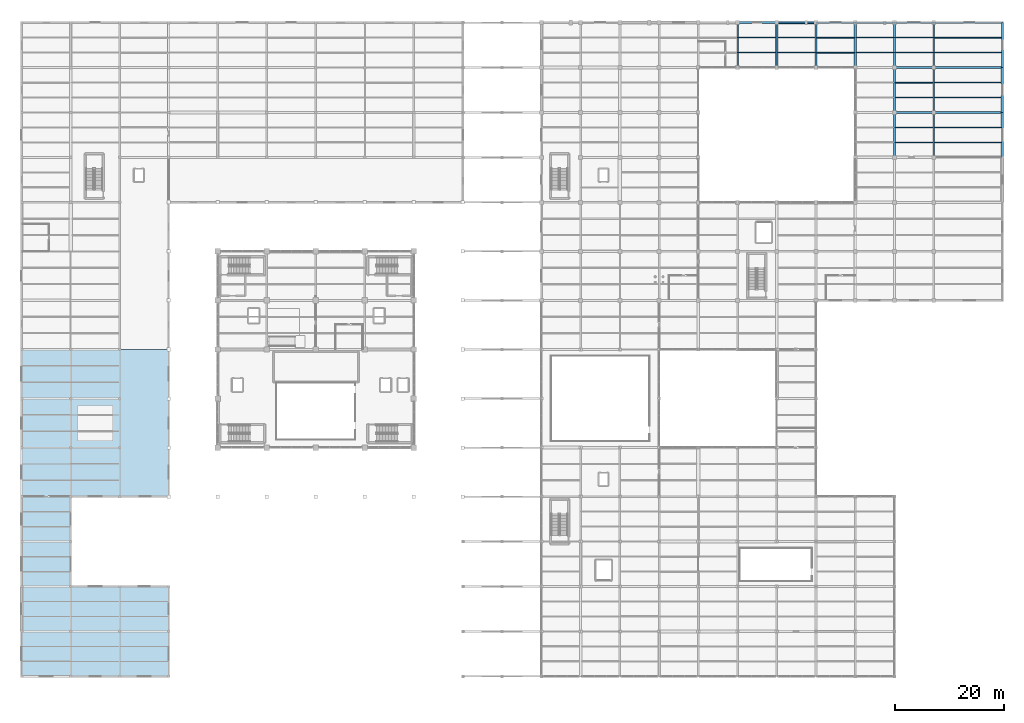
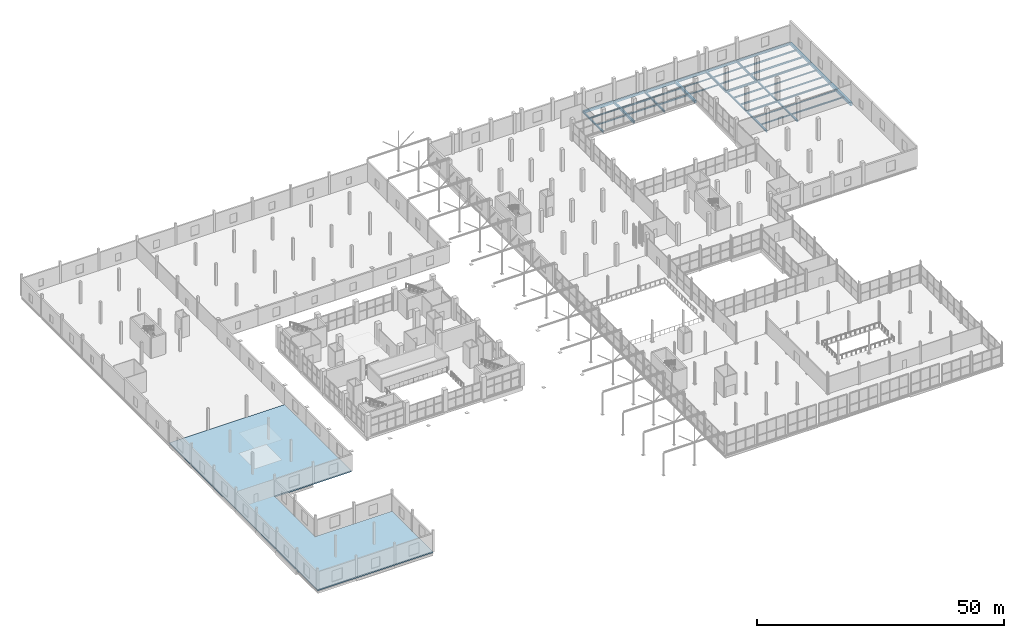
# One storey, part 112 of 147: 43 beams, 1 slab.
"""IFC4 building model written with IfcOpenShell, lengths in metres."""

from ifc_helpers import new_model, si_unit, direction, frame, origin, origin_2d, place, context, subcontext, project, spatial, polyline, rectangle, i_section, outline, extrude, material, layer, layer_set, material_profile, profile_set, type_object, element, save


model = new_model("IFC4")

# Units and contexts
model_context = context("Model", 3, precision=1e-05, world=origin(), true_north=direction((0.0, 1.0)))
body_context = subcontext(model_context, "Body", "Model", "MODEL_VIEW")
ifc_project = project(units=[si_unit("LENGTHUNIT", "METRE"), si_unit("AREAUNIT", "SQUARE_METRE"), si_unit("VOLUMEUNIT", "CUBIC_METRE"), si_unit("PLANEANGLEUNIT", "RADIAN"), si_unit("MASSUNIT", "GRAM", prefix="KILO")], contexts=[model_context])

# Site, building, storey
site_placement = place(None, origin())
site = spatial("IfcSite", under=ifc_project, at=site_placement, CompositionType="ELEMENT")
building_placement = place(site_placement, origin())
building = spatial("IfcBuilding", under=site, at=building_placement, Name="Sundgate Opera House", CompositionType="ELEMENT")
storey_placement = place(building_placement, frame((0.0, 0.0, 6.0)))
storey = spatial("IfcBuildingStorey", under=building, at=storey_placement, Name="L01", CompositionType="ELEMENT", Elevation=6.0)

# Beams
ifc_material_1 = material(Name="Steel S355J2", Category="steel")
ifc_material_profile_1 = material_profile(ifc_material_1, i_section(OverallWidth=0.300048828125, OverallDepth=0.330078125, WebThickness=0.009521484375, FlangeThickness=0.0166015625, at=origin_2d()), Name="HEA 340")
ifc_profile_set_1 = profile_set([ifc_material_profile_1], Name="Steel S355J2")
beam_type_1 = type_object("IfcBeamType", Name="BM-GR-HEA340", PredefinedType="BEAM", material=ifc_profile_set_1)
beam_1_placement = place(storey_placement, frame((167.39990234375, 103.5, -0.465087890625), z_axis=(0.0, 1.0, 0.0), x_axis=(-1.0, 0.0, 0.0)))
element("IfcBeam", 1, at=beam_1_placement, inside=storey, type_object=beam_type_1, Name="L01 Primary N-S Girder B1261", PredefinedType="BEAM", context=body_context, shape_type="SweptSolid", body=[
    extrude(i_section(OverallWidth=0.300048828125, OverallDepth=0.330078125, WebThickness=0.009521484375, FlangeThickness=0.0166015625, at=origin_2d()), origin(), (0.0, 0.0, 1.0), 8.25),
])
ifc_material_2 = material(Name="Steel S355J2", Category="steel")
ifc_material_profile_2 = material_profile(ifc_material_2, i_section(OverallWidth=0.300048828125, OverallDepth=0.35009765625, WebThickness=0.010009765625, FlangeThickness=0.017578125, at=origin_2d()), Name="HEA 360")
ifc_profile_set_2 = profile_set([ifc_material_profile_2], Name="Steel S355J2")
beam_type_2 = type_object("IfcBeamType", Name="BM-GR-HEA360", PredefinedType="BEAM", material=ifc_profile_set_2)
beam_2_placement = place(storey_placement, frame((167.39990234375, 95.25, -0.47509765625), z_axis=(0.0, 1.0, 0.0), x_axis=(-1.0, 0.0, 0.0)))
element("IfcBeam", 2, at=beam_2_placement, inside=storey, type_object=beam_type_2, Name="L01 Primary N-S Girder B1260", PredefinedType="BEAM", context=body_context, shape_type="SweptSolid", body=[
    extrude(i_section(OverallWidth=0.300048828125, OverallDepth=0.35009765625, WebThickness=0.010009765625, FlangeThickness=0.017578125, at=origin_2d()), origin(), (0.0, 0.0, 1.0), 8.25),
])
ifc_material_3 = material(Name="Steel S355J2", Category="steel")
ifc_material_profile_3 = material_profile(ifc_material_3, i_section(OverallWidth=0.300048828125, OverallDepth=0.389892578125, WebThickness=0.010986328125, FlangeThickness=0.01904296875, at=origin_2d()), Name="HEA 400")
ifc_profile_set_3 = profile_set([ifc_material_profile_3], Name="Steel S355J2")
beam_type_3 = type_object("IfcBeamType", Name="BM-GR-HEA400", PredefinedType="BEAM", material=ifc_profile_set_3)
beam_3_placement = place(storey_placement, frame((131.39990234375, 111.75, -0.4951171875), z_axis=(0.0, 1.0, 0.0), x_axis=(-1.0, 0.0, 0.0)))
element("IfcBeam", 3, at=beam_3_placement, inside=storey, type_object=beam_type_3, Name="L01 Primary N-S Girder B1215", PredefinedType="BEAM", context=body_context, shape_type="SweptSolid", body=[
    extrude(i_section(OverallWidth=0.300048828125, OverallDepth=0.389892578125, WebThickness=0.010986328125, FlangeThickness=0.01904296875, at=origin_2d()), origin(), (0.0, 0.0, 1.0), 8.25),
])
ifc_material_4 = material(Name="Steel S355J2", Category="steel")
ifc_material_profile_4 = material_profile(ifc_material_4, i_section(OverallWidth=0.300048828125, OverallDepth=0.43994140625, WebThickness=0.011474609375, FlangeThickness=0.02099609375, at=origin_2d()), Name="HEA 450")
ifc_profile_set_4 = profile_set([ifc_material_profile_4], Name="Steel S355J2")
beam_type_4 = type_object("IfcBeamType", Name="BM-GR-HEA450", PredefinedType="BEAM", material=ifc_profile_set_4)
beam_4_placement = place(storey_placement, frame((145.800048828125, 111.75, -0.52001953125), z_axis=(0.0, 1.0, 0.0), x_axis=(-1.0, 0.0, 0.0)))
element("IfcBeam", 4, at=beam_4_placement, inside=storey, type_object=beam_type_4, Name="L01 Primary N-S Girder B1236", PredefinedType="BEAM", context=body_context, shape_type="SweptSolid", body=[
    extrude(i_section(OverallWidth=0.300048828125, OverallDepth=0.43994140625, WebThickness=0.011474609375, FlangeThickness=0.02099609375, at=origin_2d()), origin(), (0.0, 0.0, 1.0), 8.25),
])
ifc_material_5 = material(Name="Steel S355J2", Category="steel")
ifc_material_profile_5 = material_profile(ifc_material_5, i_section(OverallWidth=0.300048828125, OverallDepth=0.590087890625, WebThickness=0.012939453125, FlangeThickness=0.02490234375, at=origin_2d()), Name="HEA 600")
ifc_profile_set_5 = profile_set([ifc_material_profile_5], Name="Steel S355J2")
beam_type_5 = type_object("IfcBeamType", Name="BM-GR-HEA600", PredefinedType="BEAM", material=ifc_profile_set_5)
beam_5_placement = place(storey_placement, frame((160.199951171875, 111.75, -0.594970703125), z_axis=(0.0, 1.0, 0.0), x_axis=(-1.0, 0.0, 0.0)))
element("IfcBeam", 5, at=beam_5_placement, inside=storey, type_object=beam_type_5, Name="L01 Primary N-S Girder B1256", PredefinedType="BEAM", context=body_context, shape_type="SweptSolid", body=[
    extrude(i_section(OverallWidth=0.300048828125, OverallDepth=0.590087890625, WebThickness=0.012939453125, FlangeThickness=0.02490234375, at=origin_2d()), origin(), (0.0, 0.0, 1.0), 8.25),
])
ifc_material_6 = material(Name="Steel S355J2", Category="steel")
ifc_material_profile_6 = material_profile(ifc_material_6, i_section(OverallWidth=0.300048828125, OverallDepth=0.360107421875, WebThickness=0.012451171875, FlangeThickness=0.0224609375, at=origin_2d()), Name="HEB 360")
ifc_profile_set_6 = profile_set([ifc_material_profile_6], Name="Steel S355J2")
beam_type_6 = type_object("IfcBeamType", Name="BM-GR-HEB360", PredefinedType="BEAM", material=ifc_profile_set_6)
beam_6_placement = place(storey_placement, frame((160.199951171875, 103.5, -0.47998046875), z_axis=(0.0, 1.0, 0.0), x_axis=(-1.0, 0.0, 0.0)))
element("IfcBeam", 6, at=beam_6_placement, inside=storey, type_object=beam_type_6, Name="L01 Primary N-S Girder B1255", PredefinedType="BEAM", context=body_context, shape_type="SweptSolid", body=[
    extrude(i_section(OverallWidth=0.300048828125, OverallDepth=0.360107421875, WebThickness=0.012451171875, FlangeThickness=0.0224609375, at=origin_2d()), origin(), (0.0, 0.0, 1.0), 8.25),
])
beam_7_placement = place(storey_placement, frame((167.39990234375, 103.5, -0.47998046875), z_axis=(1.0, 0.0, 0.0), x_axis=(0.0, 1.0, 0.0)))
element("IfcBeam", 7, at=beam_7_placement, inside=storey, type_object=beam_type_6, Name="L01 Primary E-W Girder B1431", PredefinedType="BEAM", context=body_context, shape_type="SweptSolid", body=[
    extrude(i_section(OverallWidth=0.300048828125, OverallDepth=0.360107421875, WebThickness=0.012451171875, FlangeThickness=0.0224609375, at=origin_2d()), origin(), (0.0, 0.0, 1.0), 12.60009765625),
])
ifc_material_7 = material(Name="Steel S355J2", Category="steel")
ifc_material_profile_7 = material_profile(ifc_material_7, i_section(OverallWidth=0.300048828125, OverallDepth=0.39990234375, WebThickness=0.013427734375, FlangeThickness=0.02392578125, at=origin_2d()), Name="HEB 400")
ifc_profile_set_7 = profile_set([ifc_material_profile_7], Name="Steel S355J2")
beam_type_7 = type_object("IfcBeamType", Name="BM-GR-HEB400", PredefinedType="BEAM", material=ifc_profile_set_7)
beam_8_placement = place(storey_placement, frame((160.199951171875, 95.25, -0.5), z_axis=(0.0, 1.0, 0.0), x_axis=(-1.0, 0.0, 0.0)))
element("IfcBeam", 8, at=beam_8_placement, inside=storey, type_object=beam_type_7, Name="L01 Primary N-S Girder B1254", PredefinedType="BEAM", context=body_context, shape_type="SweptSolid", body=[
    extrude(i_section(OverallWidth=0.300048828125, OverallDepth=0.39990234375, WebThickness=0.013427734375, FlangeThickness=0.02392578125, at=origin_2d()), origin(), (0.0, 0.0, 1.0), 8.25),
])
beam_9_placement = place(storey_placement, frame((160.199951171875, 103.5, -0.5), z_axis=(1.0, 0.0, 0.0), x_axis=(0.0, 1.0, 0.0)))
element("IfcBeam", 9, at=beam_9_placement, inside=storey, type_object=beam_type_7, Name="L01 Primary E-W Girder B1430", PredefinedType="BEAM", context=body_context, shape_type="SweptSolid", body=[
    extrude(i_section(OverallWidth=0.300048828125, OverallDepth=0.39990234375, WebThickness=0.013427734375, FlangeThickness=0.02392578125, at=origin_2d()), origin(), (0.0, 0.0, 1.0), 7.199951171875),
])
ifc_material_8 = material(Name="Steel S355J2", Category="steel")
ifc_material_profile_8 = material_profile(ifc_material_8, i_section(OverallWidth=0.300048828125, OverallDepth=0.449951171875, WebThickness=0.013916015625, FlangeThickness=0.02587890625, at=origin_2d()), Name="HEB 450")
ifc_profile_set_8 = profile_set([ifc_material_profile_8], Name="Steel S355J2")
beam_type_8 = type_object("IfcBeamType", Name="BM-GR-HEB450", PredefinedType="BEAM", material=ifc_profile_set_8)
beam_10_placement = place(storey_placement, frame((167.39990234375, 111.75, -0.52490234375), z_axis=(1.0, 0.0, 0.0), x_axis=(0.0, 1.0, 0.0)))
element("IfcBeam", 10, at=beam_10_placement, inside=storey, type_object=beam_type_8, Name="L01 Primary E-W Girder B1451", PredefinedType="BEAM", context=body_context, shape_type="SweptSolid", body=[
    extrude(i_section(OverallWidth=0.300048828125, OverallDepth=0.449951171875, WebThickness=0.013916015625, FlangeThickness=0.02587890625, at=origin_2d()), origin(), (0.0, 0.0, 1.0), 12.60009765625),
])
ifc_material_9 = material(Name="Steel S355J2", Category="steel")
ifc_material_profile_9 = material_profile(ifc_material_9, i_section(OverallWidth=0.300048828125, OverallDepth=0.5, WebThickness=0.014404296875, FlangeThickness=0.028076171875, at=origin_2d()), Name="HEB 500")
ifc_profile_set_9 = profile_set([ifc_material_profile_9], Name="Steel S355J2")
beam_type_9 = type_object("IfcBeamType", Name="BM-GR-HEB500", PredefinedType="BEAM", material=ifc_profile_set_9)
beam_11_placement = place(storey_placement, frame((160.199951171875, 111.75, -0.550048828125), z_axis=(1.0, 0.0, 0.0), x_axis=(0.0, 1.0, 0.0)))
element("IfcBeam", 11, at=beam_11_placement, inside=storey, type_object=beam_type_9, Name="L01 Primary E-W Girder B1450", PredefinedType="BEAM", context=body_context, shape_type="SweptSolid", body=[
    extrude(i_section(OverallWidth=0.300048828125, OverallDepth=0.5, WebThickness=0.014404296875, FlangeThickness=0.028076171875, at=origin_2d()), origin(), (0.0, 0.0, 1.0), 7.199951171875),
])
ifc_material_10 = material(Name="Steel S355J2", Category="steel")
ifc_material_profile_10 = material_profile(ifc_material_10, i_section(OverallWidth=0.300048828125, OverallDepth=0.550048828125, WebThickness=0.014892578125, FlangeThickness=0.029052734375, at=origin_2d()), Name="HEB 550")
ifc_profile_set_10 = profile_set([ifc_material_profile_10], Name="Steel S355J2")
beam_type_10 = type_object("IfcBeamType", Name="BM-GR-HEB550", PredefinedType="BEAM", material=ifc_profile_set_10)
beam_12_placement = place(storey_placement, frame((167.39990234375, 120.0, -0.574951171875), z_axis=(1.0, 0.0, 0.0), x_axis=(0.0, 1.0, 0.0)))
element("IfcBeam", 12, at=beam_12_placement, inside=storey, type_object=beam_type_10, Name="L01 Primary E-W Girder B1471", PredefinedType="BEAM", context=body_context, shape_type="SweptSolid", body=[
    extrude(i_section(OverallWidth=0.300048828125, OverallDepth=0.550048828125, WebThickness=0.014892578125, FlangeThickness=0.029052734375, at=origin_2d()), origin(), (0.0, 0.0, 1.0), 12.60009765625),
])
ifc_material_11 = material(Name="Steel S355J2", Category="steel")
ifc_material_profile_11 = material_profile(ifc_material_11, i_section(OverallWidth=0.300048828125, OverallDepth=0.60009765625, WebThickness=0.015380859375, FlangeThickness=0.030029296875, at=origin_2d()), Name="HEB 600")
ifc_profile_set_11 = profile_set([ifc_material_profile_11], Name="Steel S355J2")
beam_type_11 = type_object("IfcBeamType", Name="BM-GR-HEB600", PredefinedType="BEAM", material=ifc_profile_set_11)
beam_13_placement = place(storey_placement, frame((160.199951171875, 120.0, -0.60009765625), z_axis=(1.0, 0.0, 0.0), x_axis=(0.0, 1.0, 0.0)))
element("IfcBeam", 13, at=beam_13_placement, inside=storey, type_object=beam_type_11, Name="L01 Primary E-W Girder B1470", PredefinedType="BEAM", context=body_context, shape_type="SweptSolid", body=[
    extrude(i_section(OverallWidth=0.300048828125, OverallDepth=0.60009765625, WebThickness=0.015380859375, FlangeThickness=0.030029296875, at=origin_2d()), origin(), (0.0, 0.0, 1.0), 7.199951171875),
])
ifc_material_12 = material(Name="Steel S355J2", Category="steel")
ifc_material_profile_12 = material_profile(ifc_material_12, i_section(OverallWidth=0.300048828125, OverallDepth=0.64990234375, WebThickness=0.01611328125, FlangeThickness=0.031005859375, at=origin_2d()), Name="HEB 650")
ifc_profile_set_12 = profile_set([ifc_material_profile_12], Name="Steel S355J2")
beam_type_12 = type_object("IfcBeamType", Name="BM-GR-HEB650", PredefinedType="BEAM", material=ifc_profile_set_12)
beam_14_placement = place(storey_placement, frame((153.0, 120.0, -0.625), z_axis=(1.0, 0.0, 0.0), x_axis=(0.0, 1.0, 0.0)))
element("IfcBeam", 14, at=beam_14_placement, inside=storey, type_object=beam_type_12, Name="L01 Primary E-W Girder B1469", PredefinedType="BEAM", context=body_context, shape_type="SweptSolid", body=[
    extrude(i_section(OverallWidth=0.300048828125, OverallDepth=0.64990234375, WebThickness=0.01611328125, FlangeThickness=0.031005859375, at=origin_2d()), origin(), (0.0, 0.0, 1.0), 7.199951171875),
])
ifc_material_13 = material(Name="Steel S355J2", Category="steel")
ifc_material_profile_13 = material_profile(ifc_material_13, i_section(OverallWidth=0.300048828125, OverallDepth=0.699951171875, WebThickness=0.01708984375, FlangeThickness=0.031982421875, at=origin_2d()), Name="HEB 700")
ifc_profile_set_13 = profile_set([ifc_material_profile_13], Name="Steel S355J2")
beam_type_13 = type_object("IfcBeamType", Name="BM-GR-HEB700", PredefinedType="BEAM", material=ifc_profile_set_13)
beam_15_placement = place(storey_placement, frame((145.800048828125, 120.0, -0.64990234375), z_axis=(1.0, 0.0, 0.0), x_axis=(0.0, 1.0, 0.0)))
element("IfcBeam", 15, at=beam_15_placement, inside=storey, type_object=beam_type_13, Name="L01 Primary E-W Girder B1468", PredefinedType="BEAM", context=body_context, shape_type="SweptSolid", body=[
    extrude(i_section(OverallWidth=0.300048828125, OverallDepth=0.699951171875, WebThickness=0.01708984375, FlangeThickness=0.031982421875, at=origin_2d()), origin(), (0.0, 0.0, 1.0), 7.199951171875),
])
ifc_material_14 = material(Name="Steel S355J2", Category="steel")
ifc_material_profile_14 = material_profile(ifc_material_14, i_section(OverallWidth=0.219970703125, OverallDepth=0.60009765625, WebThickness=0.011962890625, FlangeThickness=0.01904296875, at=origin_2d()), Name="IPE 600")
ifc_profile_set_14 = profile_set([ifc_material_profile_14], Name="Steel S355J2")
beam_type_14 = type_object("IfcBeamType", Name="BM-GR-IPE600", PredefinedType="BEAM", material=ifc_profile_set_14)
beam_16_placement = place(storey_placement, frame((167.39990234375, 111.75, -0.60009765625), z_axis=(0.0, 1.0, 0.0), x_axis=(-1.0, 0.0, 0.0)))
element("IfcBeam", 16, at=beam_16_placement, inside=storey, type_object=beam_type_14, Name="L01 Primary N-S Girder B1262", PredefinedType="BEAM", context=body_context, shape_type="SweptSolid", body=[
    extrude(i_section(OverallWidth=0.219970703125, OverallDepth=0.60009765625, WebThickness=0.011962890625, FlangeThickness=0.01904296875, at=origin_2d()), origin(), (0.0, 0.0, 1.0), 8.25),
])
ifc_material_15 = material(Name="Steel S355J2", Category="steel")
ifc_material_profile_15 = material_profile(ifc_material_15, i_section(OverallWidth=0.1201171875, OverallDepth=0.239990234375, WebThickness=0.006103515625, FlangeThickness=0.009765625, at=origin_2d()), Name="IPE 240")
ifc_profile_set_15 = profile_set([ifc_material_profile_15], Name="Steel S355J2")
beam_type_15 = type_object("IfcBeamType", Name="BM-JS-IPE240", PredefinedType="JOIST", material=ifc_profile_set_15)
beam_17_placement = place(storey_placement, frame((167.550048828125, 100.75, -0.419921875), z_axis=(1.0, 0.0, 0.0), x_axis=(0.0, 1.0, 0.0)))
element("IfcBeam", 17, at=beam_17_placement, inside=storey, type_object=beam_type_15, Name="L01 Secondary Floor Joist B1707", PredefinedType="JOIST", context=body_context, shape_type="SweptSolid", body=[
    extrude(i_section(OverallWidth=0.1201171875, OverallDepth=0.239990234375, WebThickness=0.006103515625, FlangeThickness=0.009765625, at=origin_2d()), origin(), (0.0, 0.0, 1.0), 12.199951171875),
])
beam_18_placement = place(storey_placement, frame((138.77490234375, 114.5, -0.419921875), z_axis=(1.0, 0.0, 0.0), x_axis=(0.0, 1.0, 0.0)))
element("IfcBeam", 18, at=beam_18_placement, inside=storey, type_object=beam_type_15, Name="L01 Secondary Floor Joist B1770", PredefinedType="JOIST", context=body_context, shape_type="SweptSolid", body=[
    extrude(i_section(OverallWidth=0.1201171875, OverallDepth=0.239990234375, WebThickness=0.006103515625, FlangeThickness=0.009765625, at=origin_2d()), origin(), (0.0, 0.0, 1.0), 6.875),
])
beam_19_placement = place(storey_placement, frame((160.35009765625, 117.25, -0.419921875), z_axis=(1.0, 0.0, 0.0), x_axis=(0.0, 1.0, 0.0)))
element("IfcBeam", 19, at=beam_19_placement, inside=storey, type_object=beam_type_15, Name="L01 Secondary Floor Joist B1777", PredefinedType="JOIST", context=body_context, shape_type="SweptSolid", body=[
    extrude(i_section(OverallWidth=0.1201171875, OverallDepth=0.239990234375, WebThickness=0.006103515625, FlangeThickness=0.009765625, at=origin_2d()), origin(), (0.0, 0.0, 1.0), 6.93994140625),
])
ifc_material_16 = material(Name="Steel S355J2", Category="steel")
ifc_material_profile_16 = material_profile(ifc_material_16, i_section(OverallWidth=0.135009765625, OverallDepth=0.27001953125, WebThickness=0.006591796875, FlangeThickness=0.01025390625, at=origin_2d()), Name="IPE 270")
ifc_profile_set_16 = profile_set([ifc_material_profile_16], Name="Steel S355J2")
beam_type_16 = type_object("IfcBeamType", Name="BM-JS-IPE270", PredefinedType="JOIST", material=ifc_profile_set_16)
beam_20_placement = place(storey_placement, frame((167.550048828125, 98.0, -0.43505859375), z_axis=(1.0, 0.0, 0.0), x_axis=(0.0, 1.0, 0.0)))
element("IfcBeam", 20, at=beam_20_placement, inside=storey, type_object=beam_type_16, Name="L01 Secondary Floor Joist B1706", PredefinedType="JOIST", context=body_context, shape_type="SweptSolid", body=[
    extrude(i_section(OverallWidth=0.135009765625, OverallDepth=0.27001953125, WebThickness=0.006591796875, FlangeThickness=0.01025390625, at=origin_2d()), origin(), (0.0, 0.0, 1.0), 12.199951171875),
])
beam_21_placement = place(storey_placement, frame((131.550048828125, 117.25, -0.43505859375), z_axis=(1.0, 0.0, 0.0), x_axis=(0.0, 1.0, 0.0)))
element("IfcBeam", 21, at=beam_21_placement, inside=storey, type_object=beam_type_16, Name="L01 Secondary Floor Joist B1769", PredefinedType="JOIST", context=body_context, shape_type="SweptSolid", body=[
    extrude(i_section(OverallWidth=0.135009765625, OverallDepth=0.27001953125, WebThickness=0.006591796875, FlangeThickness=0.01025390625, at=origin_2d()), origin(), (0.0, 0.0, 1.0), 6.875),
])
beam_22_placement = place(storey_placement, frame((160.35009765625, 114.5, -0.43505859375), z_axis=(1.0, 0.0, 0.0), x_axis=(0.0, 1.0, 0.0)))
element("IfcBeam", 22, at=beam_22_placement, inside=storey, type_object=beam_type_16, Name="L01 Secondary Floor Joist B1776", PredefinedType="JOIST", context=body_context, shape_type="SweptSolid", body=[
    extrude(i_section(OverallWidth=0.135009765625, OverallDepth=0.27001953125, WebThickness=0.006591796875, FlangeThickness=0.01025390625, at=origin_2d()), origin(), (0.0, 0.0, 1.0), 6.93994140625),
])
ifc_material_17 = material(Name="Steel S355J2", Category="steel")
ifc_material_profile_17 = material_profile(ifc_material_17, i_section(OverallWidth=0.14990234375, OverallDepth=0.300048828125, WebThickness=0.007080078125, FlangeThickness=0.0107421875, at=origin_2d()), Name="IPE 300")
ifc_profile_set_17 = profile_set([ifc_material_profile_17], Name="Steel S355J2")
beam_type_17 = type_object("IfcBeamType", Name="BM-JS-IPE300", PredefinedType="JOIST", material=ifc_profile_set_17)
beam_23_placement = place(storey_placement, frame((160.35009765625, 100.75, -0.449951171875), z_axis=(1.0, 0.0, 0.0), x_axis=(0.0, 1.0, 0.0)))
element("IfcBeam", 23, at=beam_23_placement, inside=storey, type_object=beam_type_17, Name="L01 Secondary Floor Joist B1705", PredefinedType="JOIST", context=body_context, shape_type="SweptSolid", body=[
    extrude(i_section(OverallWidth=0.14990234375, OverallDepth=0.300048828125, WebThickness=0.007080078125, FlangeThickness=0.0107421875, at=origin_2d()), origin(), (0.0, 0.0, 1.0), 6.89990234375),
])
beam_24_placement = place(storey_placement, frame((131.550048828125, 114.5, -0.449951171875), z_axis=(1.0, 0.0, 0.0), x_axis=(0.0, 1.0, 0.0)))
element("IfcBeam", 24, at=beam_24_placement, inside=storey, type_object=beam_type_17, Name="L01 Secondary Floor Joist B1768", PredefinedType="JOIST", context=body_context, shape_type="SweptSolid", body=[
    extrude(i_section(OverallWidth=0.14990234375, OverallDepth=0.300048828125, WebThickness=0.007080078125, FlangeThickness=0.0107421875, at=origin_2d()), origin(), (0.0, 0.0, 1.0), 6.875),
])
beam_25_placement = place(storey_placement, frame((153.199951171875, 117.25, -0.449951171875), z_axis=(1.0, 0.0, 0.0), x_axis=(0.0, 1.0, 0.0)))
element("IfcBeam", 25, at=beam_25_placement, inside=storey, type_object=beam_type_17, Name="L01 Secondary Floor Joist B1775", PredefinedType="JOIST", context=body_context, shape_type="SweptSolid", body=[
    extrude(i_section(OverallWidth=0.14990234375, OverallDepth=0.300048828125, WebThickness=0.007080078125, FlangeThickness=0.0107421875, at=origin_2d()), origin(), (0.0, 0.0, 1.0), 6.85009765625),
])
ifc_material_18 = material(Name="Steel S355J2", Category="steel")
ifc_material_profile_18 = material_profile(ifc_material_18, i_section(OverallWidth=0.159912109375, OverallDepth=0.330078125, WebThickness=0.007568359375, FlangeThickness=0.011474609375, at=origin_2d()), Name="IPE 330")
ifc_profile_set_18 = profile_set([ifc_material_profile_18], Name="Steel S355J2")
beam_type_18 = type_object("IfcBeamType", Name="BM-JS-IPE330", PredefinedType="JOIST", material=ifc_profile_set_18)
beam_26_placement = place(storey_placement, frame((160.35009765625, 98.0, -0.465087890625), z_axis=(1.0, 0.0, 0.0), x_axis=(0.0, 1.0, 0.0)))
element("IfcBeam", 26, at=beam_26_placement, inside=storey, type_object=beam_type_18, Name="L01 Secondary Floor Joist B1704", PredefinedType="JOIST", context=body_context, shape_type="SweptSolid", body=[
    extrude(i_section(OverallWidth=0.159912109375, OverallDepth=0.330078125, WebThickness=0.007568359375, FlangeThickness=0.011474609375, at=origin_2d()), origin(), (0.0, 0.0, 1.0), 6.89990234375),
])
beam_27_placement = place(storey_placement, frame((167.550048828125, 109.0, -0.465087890625), z_axis=(1.0, 0.0, 0.0), x_axis=(0.0, 1.0, 0.0)))
element("IfcBeam", 27, at=beam_27_placement, inside=storey, type_object=beam_type_18, Name="L01 Secondary Floor Joist B1739", PredefinedType="JOIST", context=body_context, shape_type="SweptSolid", body=[
    extrude(i_section(OverallWidth=0.159912109375, OverallDepth=0.330078125, WebThickness=0.007568359375, FlangeThickness=0.011474609375, at=origin_2d()), origin(), (0.0, 0.0, 1.0), 12.224853515625),
])
beam_28_placement = place(storey_placement, frame((153.199951171875, 114.5, -0.465087890625), z_axis=(1.0, 0.0, 0.0), x_axis=(0.0, 1.0, 0.0)))
element("IfcBeam", 28, at=beam_28_placement, inside=storey, type_object=beam_type_18, Name="L01 Secondary Floor Joist B1774", PredefinedType="JOIST", context=body_context, shape_type="SweptSolid", body=[
    extrude(i_section(OverallWidth=0.159912109375, OverallDepth=0.330078125, WebThickness=0.007568359375, FlangeThickness=0.011474609375, at=origin_2d()), origin(), (0.0, 0.0, 1.0), 6.85009765625),
])
ifc_material_19 = material(Name="Steel S355J2", Category="steel")
ifc_material_profile_19 = material_profile(ifc_material_19, i_section(OverallWidth=0.169921875, OverallDepth=0.360107421875, WebThickness=0.008056640625, FlangeThickness=0.0126953125, at=origin_2d()), Name="IPE 360")
ifc_profile_set_19 = profile_set([ifc_material_profile_19], Name="Steel S355J2")
beam_type_19 = type_object("IfcBeamType", Name="BM-JS-IPE360", PredefinedType="JOIST", material=ifc_profile_set_19)
beam_29_placement = place(storey_placement, frame((167.550048828125, 106.25, -0.47998046875), z_axis=(1.0, 0.0, 0.0), x_axis=(0.0, 1.0, 0.0)))
element("IfcBeam", 29, at=beam_29_placement, inside=storey, type_object=beam_type_19, Name="L01 Secondary Floor Joist B1738", PredefinedType="JOIST", context=body_context, shape_type="SweptSolid", body=[
    extrude(i_section(OverallWidth=0.169921875, OverallDepth=0.360107421875, WebThickness=0.008056640625, FlangeThickness=0.0126953125, at=origin_2d()), origin(), (0.0, 0.0, 1.0), 12.224853515625),
])
beam_30_placement = place(storey_placement, frame((145.949951171875, 117.25, -0.47998046875), z_axis=(1.0, 0.0, 0.0), x_axis=(0.0, 1.0, 0.0)))
element("IfcBeam", 30, at=beam_30_placement, inside=storey, type_object=beam_type_19, Name="L01 Secondary Floor Joist B1773", PredefinedType="JOIST", context=body_context, shape_type="SweptSolid", body=[
    extrude(i_section(OverallWidth=0.169921875, OverallDepth=0.360107421875, WebThickness=0.008056640625, FlangeThickness=0.0126953125, at=origin_2d()), origin(), (0.0, 0.0, 1.0), 6.85009765625),
])
ifc_material_20 = material(Name="Steel S355J2", Category="steel")
ifc_material_profile_20 = material_profile(ifc_material_20, i_section(OverallWidth=0.179931640625, OverallDepth=0.39990234375, WebThickness=0.008544921875, FlangeThickness=0.013427734375, at=origin_2d()), Name="IPE 400")
ifc_profile_set_20 = profile_set([ifc_material_profile_20], Name="Steel S355J2")
beam_type_20 = type_object("IfcBeamType", Name="BM-JS-IPE400", PredefinedType="JOIST", material=ifc_profile_set_20)
beam_31_placement = place(storey_placement, frame((160.35009765625, 109.0, -0.5), z_axis=(1.0, 0.0, 0.0), x_axis=(0.0, 1.0, 0.0)))
element("IfcBeam", 31, at=beam_31_placement, inside=storey, type_object=beam_type_20, Name="L01 Secondary Floor Joist B1737", PredefinedType="JOIST", context=body_context, shape_type="SweptSolid", body=[
    extrude(i_section(OverallWidth=0.179931640625, OverallDepth=0.39990234375, WebThickness=0.008544921875, FlangeThickness=0.013427734375, at=origin_2d()), origin(), (0.0, 0.0, 1.0), 6.89990234375),
])
beam_32_placement = place(storey_placement, frame((145.949951171875, 114.5, -0.5), z_axis=(1.0, 0.0, 0.0), x_axis=(0.0, 1.0, 0.0)))
element("IfcBeam", 32, at=beam_32_placement, inside=storey, type_object=beam_type_20, Name="L01 Secondary Floor Joist B1772", PredefinedType="JOIST", context=body_context, shape_type="SweptSolid", body=[
    extrude(i_section(OverallWidth=0.179931640625, OverallDepth=0.39990234375, WebThickness=0.008544921875, FlangeThickness=0.013427734375, at=origin_2d()), origin(), (0.0, 0.0, 1.0), 6.85009765625),
])
beam_33_placement = place(storey_placement, frame((167.510009765625, 117.25, -0.5), z_axis=(1.0, 0.0, 0.0), x_axis=(0.0, 1.0, 0.0)))
element("IfcBeam", 33, at=beam_33_placement, inside=storey, type_object=beam_type_20, Name="L01 Secondary Floor Joist B1779", PredefinedType="JOIST", context=body_context, shape_type="SweptSolid", body=[
    extrude(i_section(OverallWidth=0.179931640625, OverallDepth=0.39990234375, WebThickness=0.008544921875, FlangeThickness=0.013427734375, at=origin_2d()), origin(), (0.0, 0.0, 1.0), 12.2900390625),
])
ifc_material_21 = material(Name="Steel S355J2", Category="steel")
ifc_material_profile_21 = material_profile(ifc_material_21, i_section(OverallWidth=0.18994140625, OverallDepth=0.449951171875, WebThickness=0.009521484375, FlangeThickness=0.0146484375, at=origin_2d()), Name="IPE 450")
ifc_profile_set_21 = profile_set([ifc_material_profile_21], Name="Steel S355J2")
beam_type_21 = type_object("IfcBeamType", Name="BM-JS-IPE450", PredefinedType="JOIST", material=ifc_profile_set_21)
beam_34_placement = place(storey_placement, frame((160.35009765625, 106.25, -0.52490234375), z_axis=(1.0, 0.0, 0.0), x_axis=(0.0, 1.0, 0.0)))
element("IfcBeam", 34, at=beam_34_placement, inside=storey, type_object=beam_type_21, Name="L01 Secondary Floor Joist B1736", PredefinedType="JOIST", context=body_context, shape_type="SweptSolid", body=[
    extrude(i_section(OverallWidth=0.18994140625, OverallDepth=0.449951171875, WebThickness=0.009521484375, FlangeThickness=0.0146484375, at=origin_2d()), origin(), (0.0, 0.0, 1.0), 6.89990234375),
])
beam_35_placement = place(storey_placement, frame((138.77490234375, 117.25, -0.52490234375), z_axis=(1.0, 0.0, 0.0), x_axis=(0.0, 1.0, 0.0)))
element("IfcBeam", 35, at=beam_35_placement, inside=storey, type_object=beam_type_21, Name="L01 Secondary Floor Joist B1771", PredefinedType="JOIST", context=body_context, shape_type="SweptSolid", body=[
    extrude(i_section(OverallWidth=0.18994140625, OverallDepth=0.449951171875, WebThickness=0.009521484375, FlangeThickness=0.0146484375, at=origin_2d()), origin(), (0.0, 0.0, 1.0), 6.875),
])
beam_36_placement = place(storey_placement, frame((167.510009765625, 114.5, -0.52490234375), z_axis=(1.0, 0.0, 0.0), x_axis=(0.0, 1.0, 0.0)))
element("IfcBeam", 36, at=beam_36_placement, inside=storey, type_object=beam_type_21, Name="L01 Secondary Floor Joist B1778", PredefinedType="JOIST", context=body_context, shape_type="SweptSolid", body=[
    extrude(i_section(OverallWidth=0.18994140625, OverallDepth=0.449951171875, WebThickness=0.009521484375, FlangeThickness=0.0146484375, at=origin_2d()), origin(), (0.0, 0.0, 1.0), 12.2900390625),
])
ifc_material_22 = material(Name="Concrete C35/45", Category="concrete")
ifc_material_profile_22 = material_profile(ifc_material_22, rectangle(XDim=0.35009765625, YDim=0.550048828125, at=origin_2d()), Name="RC 350x550")
ifc_profile_set_22 = profile_set([ifc_material_profile_22], Name="Concrete C35/45")
beam_type_22 = type_object("IfcBeamType", Name="BM-RC-350x550", PredefinedType="BEAM", material=ifc_profile_set_22)
beam_37_placement = place(storey_placement, frame((138.60009765625, 111.75, -0.574951171875), z_axis=(0.0, 1.0, 0.0), x_axis=(-1.0, 0.0, 0.0)))
element("IfcBeam", 37, at=beam_37_placement, inside=storey, type_object=beam_type_22, Name="L01 Primary N-S Girder B1225", PredefinedType="BEAM", context=body_context, shape_type="SweptSolid", body=[
    extrude(rectangle(XDim=0.35009765625, YDim=0.550048828125, at=origin_2d()), origin(), (0.0, 0.0, 1.0), 8.25),
])
beam_38_placement = place(storey_placement, frame((138.60009765625, 120.0, -0.574951171875), z_axis=(1.0, 0.0, 0.0), x_axis=(0.0, 1.0, 0.0)))
element("IfcBeam", 38, at=beam_38_placement, inside=storey, type_object=beam_type_22, Name="L01 Primary E-W Girder B1467", PredefinedType="BEAM", context=body_context, shape_type="SweptSolid", body=[
    extrude(rectangle(XDim=0.35009765625, YDim=0.550048828125, at=origin_2d()), origin(), (0.0, 0.0, 1.0), 7.199951171875),
])
ifc_material_23 = material(Name="Concrete C35/45", Category="concrete")
ifc_material_profile_23 = material_profile(ifc_material_23, rectangle(XDim=0.39990234375, YDim=0.60009765625, at=origin_2d()), Name="RC 400x600")
ifc_profile_set_23 = profile_set([ifc_material_profile_23], Name="Concrete C35/45")
beam_type_23 = type_object("IfcBeamType", Name="BM-RC-400x600", PredefinedType="BEAM", material=ifc_profile_set_23)
for number, where, z_axis, x_axis, name in (
    (39, (153.0, 111.75, -0.60009765625), (0.0, 1.0, 0.0), (-1.0, 0.0, 0.0), "L01 Primary N-S Girder B1246"),
    (40, (180.0, 111.75, -0.60009765625), (0.0, 1.0, 0.0), (-1.0, 0.0, 0.0), "L01 Primary N-S Girder B1268"),
):
    element("IfcBeam", number, at=place(storey_placement, frame(where, z_axis=z_axis, x_axis=x_axis)), inside=storey, type_object=beam_type_23, Name=name, PredefinedType="BEAM", context=body_context, shape_type="SweptSolid", body=[
        extrude(rectangle(XDim=0.39990234375, YDim=0.60009765625, at=origin_2d()), origin(), (0.0, 0.0, 1.0), 8.25),
    ])
beam_39_placement = place(storey_placement, frame((131.39990234375, 120.0, -0.60009765625), z_axis=(1.0, 0.0, 0.0), x_axis=(0.0, 1.0, 0.0)))
element("IfcBeam", 41, at=beam_39_placement, inside=storey, type_object=beam_type_23, Name="L01 Primary E-W Girder B1466", PredefinedType="BEAM", context=body_context, shape_type="SweptSolid", body=[
    extrude(rectangle(XDim=0.39990234375, YDim=0.60009765625, at=origin_2d()), origin(), (0.0, 0.0, 1.0), 7.2001953125),
])
ifc_material_24 = material(Name="Concrete C35/45", Category="concrete")
ifc_material_profile_24 = material_profile(ifc_material_24, rectangle(XDim=0.449951171875, YDim=0.64990234375, at=origin_2d()), Name="RC 450x650")
ifc_profile_set_24 = profile_set([ifc_material_profile_24], Name="Concrete C35/45")
beam_type_24 = type_object("IfcBeamType", Name="BM-RC-450x650", PredefinedType="BEAM", material=ifc_profile_set_24)
beam_40_placement = place(storey_placement, frame((180.0, 103.5, -0.625), z_axis=(0.0, 1.0, 0.0), x_axis=(-1.0, 0.0, 0.0)))
element("IfcBeam", 42, at=beam_40_placement, inside=storey, type_object=beam_type_24, Name="L01 Primary N-S Girder B1267", PredefinedType="BEAM", context=body_context, shape_type="SweptSolid", body=[
    extrude(rectangle(XDim=0.449951171875, YDim=0.64990234375, at=origin_2d()), origin(), (0.0, 0.0, 1.0), 8.25),
])
ifc_material_25 = material(Name="Concrete C40/50", Category="concrete")
ifc_material_profile_25 = material_profile(ifc_material_25, rectangle(XDim=0.5, YDim=0.75, at=origin_2d()), Name="RC 500x750")
ifc_profile_set_25 = profile_set([ifc_material_profile_25], Name="Concrete C40/50")
beam_type_25 = type_object("IfcBeamType", Name="BM-RC-500x750", PredefinedType="BEAM", material=ifc_profile_set_25)
beam_41_placement = place(storey_placement, frame((180.0, 95.25, -0.675048828125), z_axis=(0.0, 1.0, 0.0), x_axis=(-1.0, 0.0, 0.0)))
element("IfcBeam", 43, at=beam_41_placement, inside=storey, type_object=beam_type_25, Name="L01 Primary N-S Girder B1266", PredefinedType="BEAM", context=body_context, shape_type="SweptSolid", body=[
    extrude(rectangle(XDim=0.5, YDim=0.75, at=origin_2d()), origin(), (0.0, 0.0, 1.0), 8.25),
])

# Slab
ifc_material_26 = material(Name="Concrete C40/50", Category="concrete")
ifc_layer = layer(ifc_material_26, 0.300048828125)
ifc_layer_set = layer_set([ifc_layer], Name="Concrete C40/50")
slab_type = type_object("IfcSlabType", Name="SL-FLR-300", PredefinedType="FLOOR", material=ifc_layer_set)
slab_placement = place(storey_placement, frame((0.0, 0.0, -0.300048828125)))
element("IfcSlab", 44, at=slab_placement, inside=storey, type_object=slab_type, Name="L01 Structural Floor Slab V5", PredefinedType="FLOOR", context=body_context, shape_type="SweptSolid", body=[
    extrude(outline(polyline([(0.0, 0.0), (27.0, 0.0), (27.0, 16.5), (9.0, 16.5), (9.0, 33.0), (27.0, 33.0), (27.0, 60.0), (0.0, 60.0), (0.0, 0.0)])), origin(), (0.0, 0.0, 1.0), 0.300048828125),
])

save(model, "model.ifc")
